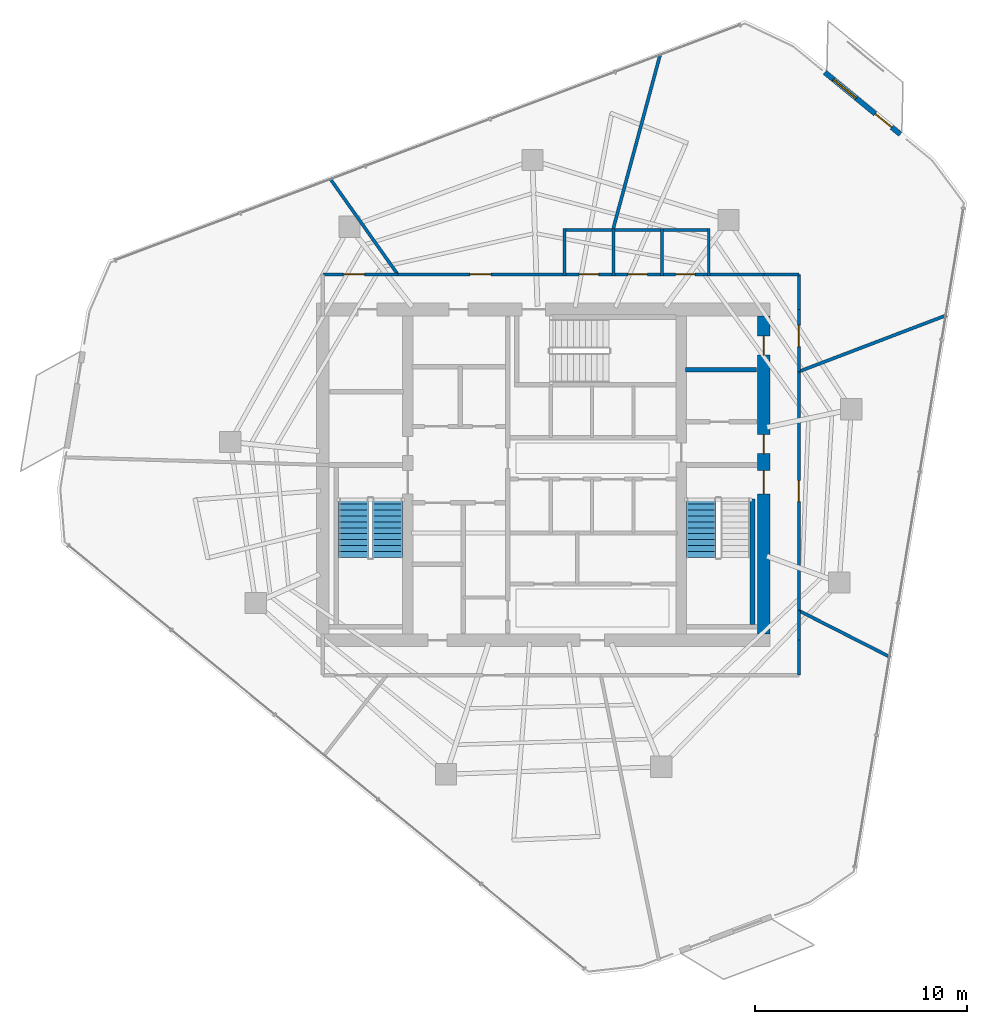
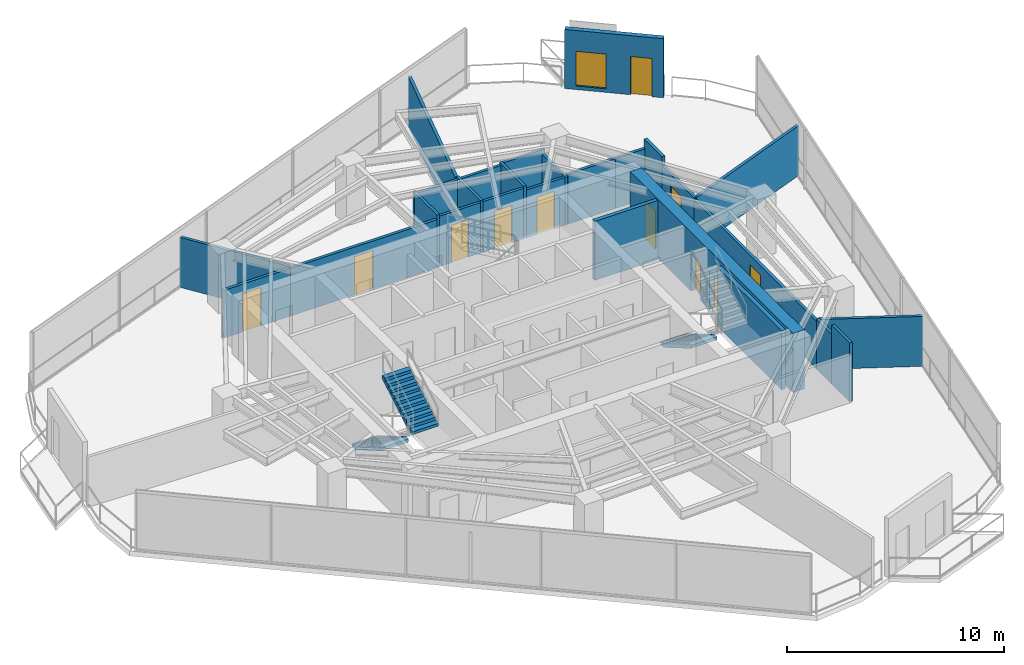
# One storey, part 16 of 19: 27 walls, 11 doors, 3 stair flights, 1 window, 12 openings, 2 elements without a shape of their own.
"""IFC4 building model written with IfcOpenShell, lengths in metres."""

from ifc_helpers import new_model, si_unit, direction, frame, frame_2d, origin, place, context, subcontext, project, spatial, polyline, rectangle, outline, extrude, material, layer, layer_set, type_object, element, fill, aggregate, save


model = new_model("IFC4")

# Units and contexts
model_context = context("Model", 3, precision=1e-05, world=origin(), true_north=direction((0.0, 1.0)))
body_context = subcontext(model_context, "Body", "Model", "MODEL_VIEW")
ifc_project = project(units=[si_unit("LENGTHUNIT", "METRE"), si_unit("AREAUNIT", "SQUARE_METRE"), si_unit("VOLUMEUNIT", "CUBIC_METRE"), si_unit("PLANEANGLEUNIT", "RADIAN"), si_unit("MASSUNIT", "GRAM", prefix="KILO")], contexts=[model_context])

# Site, building, storey
site_placement = place(None, origin())
site = spatial("IfcSite", under=ifc_project, at=site_placement, CompositionType="ELEMENT")
building_placement = place(site_placement, origin())
building = spatial("IfcBuilding", under=site, at=building_placement, Name="Qarnah Convention Tower", CompositionType="ELEMENT")
storey_placement = place(building_placement, frame((0.0, 0.0, 143.699951171875)))
storey = spatial("IfcBuildingStorey", under=building, at=storey_placement, Name="L38", CompositionType="ELEMENT", Elevation=143.699951171875)

# Wall, openings, doors
ifc_material_1 = material(Name="Concrete C60/75", Category="concrete")
ifc_layer_1 = layer(ifc_material_1, 0.60009765625)
ifc_layer_set_1 = layer_set([ifc_layer_1], Name="Concrete C60/75")
wall_type_1 = type_object("IfcWallType", Name="WL-CORE-600", PredefinedType="SHEAR", material=ifc_layer_set_1)
wall_1_placement = place(storey_placement, frame((47.60009765625, 18.89990234375, 0.0), z_axis=(0.0, 0.0, 1.0), x_axis=(0.0, 1.0, 0.0)))
wall_1 = element("IfcWall", 1, at=wall_1_placement, inside=storey, type_object=wall_type_1, Name="L38 core east shear wall", PredefinedType="SHEAR", context=body_context, shape_type="SweptSolid", body=[
    extrude(rectangle(XDim=15.0, YDim=0.60009765625, at=frame_2d((7.5, 0.0))), origin(), (0.0, 0.0, 1.0), 3.320068359375),
])
opening_1_placement = place(wall_1_placement, frame((6.60009765625, 0.0, 0.0)))
opening_1 = element("IfcOpeningElement", 2, at=opening_1_placement, cuts=wall_1, Name="Opening D-3802", PredefinedType="OPENING", context=body_context, shape_type="SweptSolid", body=[
    extrude(rectangle(XDim=1.10009765625, YDim=2.14990234375, at=frame_2d((0.550048828125, 1.074951171875))), frame((0.0, 0.31005859375, 0.0), z_axis=(0.0, -1.0, 0.0), x_axis=(1.0, 0.0, 0.0)), (0.0, 0.0, 1.0), 0.6201171875),
])
opening_2_placement = place(wall_1_placement, frame((8.5, 0.0, 0.0)))
opening_2 = element("IfcOpeningElement", 3, at=opening_2_placement, cuts=wall_1, Name="Opening D-3806", PredefinedType="OPENING", context=body_context, shape_type="SweptSolid", body=[
    extrude(rectangle(XDim=0.89990234375, YDim=2.10009765625, at=frame_2d((0.449951171875, 1.050048828125))), frame((0.0, 0.31005859375, 0.0), z_axis=(0.0, -1.0, 0.0), x_axis=(1.0, 0.0, 0.0)), (0.0, 0.0, 1.0), 0.6201171875),
])
opening_3_placement = place(wall_1_placement, frame((13.14990234375, 0.0, 0.0)))
opening_3 = element("IfcOpeningElement", 4, at=opening_3_placement, cuts=wall_1, Name="Opening D-3812", PredefinedType="OPENING", context=body_context, shape_type="SweptSolid", body=[
    extrude(rectangle(XDim=0.89990234375, YDim=2.10009765625, at=frame_2d((0.449951171875, 1.050048828125))), frame((0.0, 0.31005859375, 0.0), z_axis=(0.0, -1.0, 0.0), x_axis=(1.0, 0.0, 0.0)), (0.0, 0.0, 1.0), 0.6201171875),
])
ifc_material_2 = material(Name="Structural steel S355JR", Category="steel")
door_type_1 = type_object("IfcDoorType", Name="DT-RISER-900", OperationType="NOTDEFINED", PredefinedType="DOOR", material=ifc_material_2)
door_1_placement = place(opening_2_placement, origin())
door_1 = element("IfcDoor", 5, at=door_1_placement, inside=storey, type_object=door_type_1, Name="Door D-3806", OperationType="SINGLE_SWING_LEFT", OverallHeight=2.10009765625, OverallWidth=0.89990234375, PredefinedType="DOOR", context=body_context, shape_type="SweptSolid", body=[
    extrude(rectangle(XDim=0.89990234375, YDim=2.10009765625, at=frame_2d((0.449951171875, 1.050048828125))), frame((0.0, 0.02490234375, 0.0), z_axis=(0.0, -1.0, 0.0), x_axis=(1.0, 0.0, 0.0)), (0.0, 0.0, 1.0), 0.050048828125),
])
fill(opening_2, door_1)
door_2_placement = place(opening_3_placement, origin())
door_2 = element("IfcDoor", 6, at=door_2_placement, inside=storey, type_object=door_type_1, Name="Door D-3812", OperationType="SINGLE_SWING_LEFT", OverallHeight=2.10009765625, OverallWidth=0.89990234375, PredefinedType="DOOR", context=body_context, shape_type="SweptSolid", body=[
    extrude(rectangle(XDim=0.89990234375, YDim=2.10009765625, at=frame_2d((0.449951171875, 1.050048828125))), frame((0.0, 0.02490234375, 0.0), z_axis=(0.0, -1.0, 0.0), x_axis=(1.0, 0.0, 0.0)), (0.0, 0.0, 1.0), 0.050048828125),
])
fill(opening_3, door_2)
door_type_2 = type_object("IfcDoorType", Name="DT-STAIR-1100", OperationType="NOTDEFINED", PredefinedType="DOOR", material=ifc_material_2)
door_3_placement = place(opening_1_placement, origin())
door_3 = element("IfcDoor", 7, at=door_3_placement, inside=storey, type_object=door_type_2, Name="Door D-3802", OperationType="SINGLE_SWING_LEFT", OverallHeight=2.14990234375, OverallWidth=1.10009765625, PredefinedType="DOOR", context=body_context, shape_type="SweptSolid", body=[
    extrude(rectangle(XDim=1.10009765625, YDim=2.14990234375, at=frame_2d((0.550048828125, 1.074951171875))), frame((0.0, 0.02490234375, 0.0), z_axis=(0.0, -1.0, 0.0), x_axis=(1.0, 0.0, 0.0)), (0.0, 0.0, 1.0), 0.050048828125),
])
fill(opening_1, door_3)

# Walls
ifc_material_3 = material(Name="Concrete C45/55", Category="concrete")
ifc_layer_2 = layer(ifc_material_3, 0.199951171875)
ifc_layer_set_2 = layer_set([ifc_layer_2], Name="Concrete C45/55")
wall_type_2 = type_object("IfcWallType", Name="WL-CORE-PART-200", PredefinedType="SOLIDWALL", material=ifc_layer_set_2)
wall_2_placement = place(storey_placement, frame((43.89990234375, 31.35009765625, 0.0), z_axis=(0.0, 0.0, 1.0), x_axis=(1.0, 0.0, 0.0)))
element("IfcWall", 8, at=wall_2_placement, inside=storey, type_object=wall_type_2, Name="L38 interior wall IW-L38-WTRN", PredefinedType="SOLIDWALL", context=body_context, shape_type="SweptSolid", body=[
    extrude(rectangle(XDim=3.35009765625, YDim=0.199951171875, at=frame_2d((1.675048828125, 0.0))), origin(), (0.0, 0.0, 1.0), 3.320068359375),
])
ifc_layer_3 = layer(ifc_material_1, 0.219970703125)
ifc_layer_set_3 = layer_set([ifc_layer_3], Name="Concrete C60/75")
wall_type_3 = type_object("IfcWallType", Name="WL-CORE-STAIR-220", PredefinedType="SHEAR", material=ifc_layer_set_3)
wall_3_placement = place(storey_placement, frame((47.06005859375, 19.35009765625, 0.0), z_axis=(0.0, 0.0, 1.0), x_axis=(0.0, 1.0, 0.0)))
element("IfcWall", 9, at=wall_3_placement, inside=storey, type_object=wall_type_3, Name="L38 stair shaft shear wall SW-L38-ST2E", PredefinedType="SHEAR", context=body_context, shape_type="SweptSolid", body=[
    extrude(rectangle(XDim=5.89990234375, YDim=0.219970703125, at=frame_2d((2.949951171875, 0.0))), origin(), (0.0, 0.0, 1.0), 3.320068359375),
])

# Wall, openings, door, window
ifc_material_4 = material(Name="Precast concrete C45/55", Category="concrete")
ifc_layer_4 = layer(ifc_material_4, 0.239990234375)
ifc_layer_set_4 = layer_set([ifc_layer_4], Name="Precast concrete C45/55")
wall_type_4 = type_object("IfcWallType", Name="WL-EXT-BAL-240", PredefinedType="SOLIDWALL", material=ifc_layer_set_4)
wall_4_placement = place(storey_placement, frame((50.47412109375, 45.3759765625, 0.0), z_axis=(0.0, 0.0, 1.0), x_axis=(0.773230836885, -0.634124650909, 0.0)))
wall_4 = element("IfcWall", 10, at=wall_4_placement, inside=storey, type_object=wall_type_4, Name="L38 loggia threshold wall BAL-L38-C1", PredefinedType="SOLIDWALL", context=body_context, shape_type="SweptSolid", body=[
    extrude(rectangle(XDim=4.60009765625, YDim=0.239990234375, at=frame_2d((2.300048828125, 0.0))), origin(), (0.0, 0.0, 1.0), 3.320068359375),
])
opening_4_placement = place(wall_4_placement, frame((3.080078125, 0.0, 0.0)))
opening_4 = element("IfcOpeningElement", 11, at=opening_4_placement, cuts=wall_4, Name="Opening BD-3801", PredefinedType="OPENING", context=body_context, shape_type="SweptSolid", body=[
    extrude(rectangle(XDim=1.0, YDim=2.14990234375, at=frame_2d((0.5, 1.074951171875))), frame((0.0, 0.1298828125, 0.0), z_axis=(0.0, -1.0, 0.0), x_axis=(1.0, 0.0, 0.0)), (0.0, 0.0, 1.0), 0.260009765625),
])
opening_5_placement = place(wall_4_placement, frame((0.52001953125, 0.0, 0.199951171875)))
opening_5 = element("IfcOpeningElement", 12, at=opening_5_placement, cuts=wall_4, Name="Opening WN4", PredefinedType="OPENING", context=body_context, shape_type="SweptSolid", body=[
    extrude(rectangle(XDim=1.39990234375, YDim=1.949951171875, at=frame_2d((0.699951171875, 0.97509765625))), frame((0.0, 0.1298828125, 0.0), z_axis=(0.0, -1.0, 0.0), x_axis=(1.0, 0.0, 0.0)), (0.0, 0.0, 1.0), 0.260009765625),
])
ifc_material_5 = material(Name="Black anodised aluminium", Category="aluminium")
door_type_3 = type_object("IfcDoorType", Name="DT-BAL-1000", OperationType="NOTDEFINED", PredefinedType="DOOR", material=ifc_material_5)
door_4_placement = place(opening_4_placement, origin())
door_4 = element("IfcDoor", 13, at=door_4_placement, inside=storey, type_object=door_type_3, Name="L38 balcony terrace door BAL-L38-C1", OperationType="SINGLE_SWING_LEFT", OverallHeight=2.14990234375, OverallWidth=1.0, PredefinedType="DOOR", context=body_context, shape_type="SweptSolid", body=[
    extrude(rectangle(XDim=1.0, YDim=2.14990234375, at=frame_2d((0.5, 1.074951171875))), frame((0.0, 0.02490234375, 0.0), z_axis=(0.0, -1.0, 0.0), x_axis=(1.0, 0.0, 0.0)), (0.0, 0.0, 1.0), 0.050048828125),
])
fill(opening_4, door_4)
ifc_material_6 = material(Name="Tempered Low-E dark glass", Category="glass")
window_type = type_object("IfcWindowType", Name="WT-BAL-1400X2000", PartitioningType="SINGLE_PANEL", PredefinedType="WINDOW", material=ifc_material_6)
window_placement = place(opening_5_placement, origin())
window = element("IfcWindow", 14, at=window_placement, inside=storey, type_object=window_type, Name="Window BW-BAL-L38-C1", OverallHeight=1.949951171875, OverallWidth=1.39990234375, PartitioningType="SINGLE_PANEL", PredefinedType="WINDOW", context=body_context, shape_type="SweptSolid", body=[
    extrude(rectangle(XDim=1.39990234375, YDim=1.949951171875, at=frame_2d((0.699951171875, 0.97509765625))), frame((0.0, 0.030029296875, 0.0), z_axis=(0.0, -1.0, 0.0), x_axis=(1.0, 0.0, 0.0)), (0.0, 0.0, 1.0), 0.06005859375),
])
fill(opening_5, window)

# Walls
ifc_material_7 = material(Name="Gypsum partition board")
ifc_layer_5 = layer(ifc_material_7, 0.14990234375)
ifc_layer_set_5 = layer_set([ifc_layer_5], Name="Gypsum partition board")
wall_type_5 = type_object("IfcWallType", Name="WL-SUITE-150", PredefinedType="PARTITIONING", material=ifc_layer_set_5)
wall_5_placement = place(storey_placement, frame((42.722900390625, 46.264892578125, 0.0), z_axis=(0.0, 0.0, 1.0), x_axis=(-0.260314884798, -0.965523775343, 0.0)))
element("IfcWall", 15, at=wall_5_placement, inside=storey, type_object=wall_type_5, Name="L38 interior wall IW-L38-R-11", PredefinedType="PARTITIONING", context=body_context, shape_type="SweptSolid", body=[
    extrude(rectangle(XDim=8.539306640625, YDim=0.14990234375, at=frame_2d((4.26953125, 0.0))), origin(), (0.0, 0.0, 1.0), 2.804931640625),
])
wall_6_placement = place(storey_placement, frame((45.070068359375, 35.85009765625, 0.0), z_axis=(0.0, 0.0, 1.0), x_axis=(1.0, 0.0, 0.0)))
element("IfcWall", 16, at=wall_6_placement, inside=storey, type_object=wall_type_5, Name="L38 interior wall IW-L38-R-12", PredefinedType="PARTITIONING", context=body_context, shape_type="SweptSolid", body=[
    extrude(rectangle(XDim=2.530029296875, YDim=0.14990234375, at=frame_2d((1.26513671875, 0.0))), origin(), (0.0, 0.0, 1.0), 2.804931640625),
])
wall_7_placement = place(storey_placement, frame((47.60009765625, 35.85009765625, 0.0), z_axis=(0.0, 0.0, 1.0), x_axis=(1.0, 0.0, 0.0)))
element("IfcWall", 17, at=wall_7_placement, inside=storey, type_object=wall_type_5, Name="L38 interior wall IW-L38-R-13", PredefinedType="PARTITIONING", context=body_context, shape_type="SweptSolid", body=[
    extrude(rectangle(XDim=1.64990234375, YDim=0.14990234375, at=frame_2d((0.824951171875, 0.0))), origin(), (0.0, 0.0, 1.0), 2.804931640625),
])
wall_8_placement = place(storey_placement, frame((49.25, 35.85009765625, 0.0), z_axis=(0.0, 0.0, 1.0), x_axis=(0.0, -1.0, 0.0)))
element("IfcWall", 18, at=wall_8_placement, inside=storey, type_object=wall_type_5, Name="L38 interior wall IW-L38-R-14", PredefinedType="PARTITIONING", context=body_context, shape_type="SweptSolid", body=[
    extrude(rectangle(XDim=1.650146484375, YDim=0.14990234375, at=frame_2d((0.8251953125, 0.0))), origin(), (0.0, 0.0, 1.0), 3.320068359375),
])

# Wall, opening, door
wall_9_placement = place(storey_placement, frame((49.25, 34.199951171875, 0.0), z_axis=(0.0, 0.0, 1.0), x_axis=(0.0, -1.0, 0.0)))
wall_9 = element("IfcWall", 19, at=wall_9_placement, inside=storey, type_object=wall_type_5, Name="L38 interior wall IW-L38-R-15", PredefinedType="PARTITIONING", context=body_context, shape_type="SweptSolid", body=[
    extrude(rectangle(XDim=2.930908203125, YDim=0.14990234375, at=frame_2d((1.46533203125, 0.0))), origin(), (0.0, 0.0, 1.0), 2.804931640625),
])
opening_6_placement = place(wall_9_placement, frame((0.758056640625, 0.0, 0.0)))
opening_6 = element("IfcOpeningElement", 20, at=opening_6_placement, cuts=wall_9, Name="Opening D-3821", PredefinedType="OPENING", context=body_context, shape_type="SweptSolid", body=[
    extrude(rectangle(XDim=1.0, YDim=2.14990234375, at=frame_2d((0.5, 1.074951171875))), frame((0.0, 0.0849609375, 0.0), z_axis=(0.0, -1.0, 0.0), x_axis=(1.0, 0.0, 0.0)), (0.0, 0.0, 1.0), 0.169921875),
])
ifc_material_8 = material(Name="Oak timber veneer", Category="wood")
door_type_4 = type_object("IfcDoorType", Name="DT-OFFICE-1000", OperationType="NOTDEFINED", PredefinedType="DOOR", material=ifc_material_8)
door_5_placement = place(opening_6_placement, origin())
door_5 = element("IfcDoor", 21, at=door_5_placement, inside=storey, type_object=door_type_4, Name="Door D-3821", OperationType="SINGLE_SWING_RIGHT", OverallHeight=2.14990234375, OverallWidth=1.0, PredefinedType="DOOR", context=body_context, shape_type="SweptSolid", body=[
    extrude(rectangle(XDim=1.0, YDim=2.14990234375, at=frame_2d((0.5, 1.074951171875))), frame((0.0, 0.02490234375, 0.0), z_axis=(0.0, -1.0, 0.0), x_axis=(1.0, 0.0, 0.0)), (0.0, 0.0, 1.0), 0.050048828125),
])
fill(opening_6, door_5)

# Walls
wall_10_placement = place(storey_placement, frame((49.25, 31.26904296875, 0.0), z_axis=(0.0, 0.0, 1.0), x_axis=(0.934313749636, 0.356451703938, 0.0)))
element("IfcWall", 22, at=wall_10_placement, inside=storey, type_object=wall_type_5, Name="L38 interior wall IW-L38-R-16", PredefinedType="PARTITIONING", context=body_context, shape_type="SweptSolid", body=[
    extrude(rectangle(XDim=7.473876953125, YDim=0.14990234375, at=frame_2d((3.73681640625, 0.0))), origin(), (0.0, 0.0, 1.0), 2.804931640625),
])
wall_11_placement = place(storey_placement, frame((27.134033203125, 40.3798828125, 0.0), z_axis=(0.0, 0.0, 1.0), x_axis=(0.57697869806, -0.816759194613, 0.0)))
element("IfcWall", 23, at=wall_11_placement, inside=storey, type_object=wall_type_5, Name="L38 interior wall IW-L38-R-17", PredefinedType="PARTITIONING", context=body_context, shape_type="SweptSolid", body=[
    extrude(rectangle(XDim=5.546142578125, YDim=0.14990234375, at=frame_2d((2.77294921875, 0.0))), origin(), (0.0, 0.0, 1.0), 2.804931640625),
])

# Wall, opening, door
wall_12_placement = place(storey_placement, frame((30.333984375, 35.85009765625, 0.0), z_axis=(0.0, 0.0, 1.0), x_axis=(1.0, 0.0, 0.0)))
wall_12 = element("IfcWall", 24, at=wall_12_placement, inside=storey, type_object=wall_type_5, Name="L38 interior wall IW-L38-R-18", PredefinedType="PARTITIONING", context=body_context, shape_type="SweptSolid", body=[
    extrude(rectangle(XDim=7.7958984375, YDim=0.14990234375, at=frame_2d((3.89794921875, 0.0))), origin(), (0.0, 0.0, 1.0), 2.68701171875),
])
opening_7_placement = place(wall_12_placement, frame((3.39794921875, 0.0, 0.0)))
opening_7 = element("IfcOpeningElement", 25, at=opening_7_placement, cuts=wall_12, Name="Opening D-3822", PredefinedType="OPENING", context=body_context, shape_type="SweptSolid", body=[
    extrude(rectangle(XDim=1.0, YDim=2.14990234375, at=frame_2d((0.5, 1.074951171875))), frame((0.0, 0.0849609375, 0.0), z_axis=(0.0, -1.0, 0.0), x_axis=(1.0, 0.0, 0.0)), (0.0, 0.0, 1.0), 0.169921875),
])
door_6_placement = place(opening_7_placement, origin())
door_6 = element("IfcDoor", 26, at=door_6_placement, inside=storey, type_object=door_type_4, Name="Door D-3822", OperationType="SINGLE_SWING_LEFT", OverallHeight=2.14990234375, OverallWidth=1.0, PredefinedType="DOOR", context=body_context, shape_type="SweptSolid", body=[
    extrude(rectangle(XDim=1.0, YDim=2.14990234375, at=frame_2d((0.5, 1.074951171875))), frame((0.0, 0.02490234375, 0.0), z_axis=(0.0, -1.0, 0.0), x_axis=(1.0, 0.0, 0.0)), (0.0, 0.0, 1.0), 0.050048828125),
])
fill(opening_7, door_6)

wall_13_placement = place(storey_placement, frame((26.800048828125, 35.85009765625, 0.0), z_axis=(0.0, 0.0, 1.0), x_axis=(1.0, 0.0, 0.0)))
wall_13 = element("IfcWall", 27, at=wall_13_placement, inside=storey, type_object=wall_type_5, Name="L38 interior wall IW-L38-R-21", PredefinedType="PARTITIONING", context=body_context, shape_type="SweptSolid", body=[
    extrude(rectangle(XDim=3.533935546875, YDim=0.14990234375, at=frame_2d((1.76708984375, 0.0))), origin(), (0.0, 0.0, 1.0), 2.68701171875),
])
opening_8_placement = place(wall_13_placement, frame((0.97412109375, 0.0, 0.0)))
opening_8 = element("IfcOpeningElement", 28, at=opening_8_placement, cuts=wall_13, Name="Opening D-3823", PredefinedType="OPENING", context=body_context, shape_type="SweptSolid", body=[
    extrude(rectangle(XDim=1.0, YDim=2.14990234375, at=frame_2d((0.5, 1.074951171875))), frame((0.0, 0.0849609375, 0.0), z_axis=(0.0, -1.0, 0.0), x_axis=(1.0, 0.0, 0.0)), (0.0, 0.0, 1.0), 0.169921875),
])
door_7_placement = place(opening_8_placement, origin())
door_7 = element("IfcDoor", 29, at=door_7_placement, inside=storey, type_object=door_type_4, Name="Door D-3823", OperationType="SINGLE_SWING_RIGHT", OverallHeight=2.14990234375, OverallWidth=1.0, PredefinedType="DOOR", context=body_context, shape_type="SweptSolid", body=[
    extrude(rectangle(XDim=1.0, YDim=2.14990234375, at=frame_2d((0.5, 1.074951171875))), frame((0.0, 0.02490234375, 0.0), z_axis=(0.0, -1.0, 0.0), x_axis=(1.0, 0.0, 0.0)), (0.0, 0.0, 1.0), 0.050048828125),
])
fill(opening_8, door_7)

# Walls
wall_14_placement = place(storey_placement, frame((53.56689453125, 17.799072265625, 0.0), z_axis=(0.0, 0.0, 1.0), x_axis=(-0.891483849738, 0.45305247561, 0.0)))
element("IfcWall", 30, at=wall_14_placement, inside=storey, type_object=wall_type_5, Name="L38 interior wall IW-L38-R-27", PredefinedType="PARTITIONING", context=body_context, shape_type="SweptSolid", body=[
    extrude(rectangle(XDim=4.84228515625, YDim=0.14990234375, at=frame_2d((2.421142578125, 0.0))), origin(), (0.0, 0.0, 1.0), 2.804931640625),
])
wall_15_placement = place(storey_placement, frame((49.25, 19.992919921875, 0.0), z_axis=(0.0, 0.0, 1.0), x_axis=(0.0, -1.0, 0.0)))
element("IfcWall", 31, at=wall_15_placement, inside=storey, type_object=wall_type_5, Name="L38 interior wall IW-L38-R-28", PredefinedType="PARTITIONING", context=body_context, shape_type="SweptSolid", body=[
    extrude(rectangle(XDim=1.392822265625, YDim=0.14990234375, at=frame_2d((0.6962890625, 0.0))), origin(), (0.0, 0.0, 1.0), 2.804931640625),
])
wall_16_placement = place(storey_placement, frame((49.25, 18.60009765625, 0.0), z_axis=(0.0, 0.0, 1.0), x_axis=(0.0, -1.0, 0.0)))
element("IfcWall", 32, at=wall_16_placement, inside=storey, type_object=wall_type_5, Name="L38 interior wall IW-L38-R-29", PredefinedType="PARTITIONING", context=body_context, shape_type="SweptSolid", body=[
    extrude(rectangle(XDim=1.650146484375, YDim=0.14990234375, at=frame_2d((0.8251953125, 0.0))), origin(), (0.0, 0.0, 1.0), 3.320068359375),
])

# Wall, opening, door
wall_17_placement = place(storey_placement, frame((49.25, 31.26904296875, 0.0), z_axis=(0.0, 0.0, 1.0), x_axis=(0.0, -1.0, 0.0)))
wall_17 = element("IfcWall", 33, at=wall_17_placement, inside=storey, type_object=wall_type_5, Name="L38 interior wall IW-L38-R-31", PredefinedType="PARTITIONING", context=body_context, shape_type="SweptSolid", body=[
    extrude(rectangle(XDim=11.276123046875, YDim=0.14990234375, at=frame_2d((5.63818359375, 0.0))), origin(), (0.0, 0.0, 1.0), 2.68701171875),
])
opening_9_placement = place(wall_17_placement, frame((5.137939453125, 0.0, 0.0)))
opening_9 = element("IfcOpeningElement", 34, at=opening_9_placement, cuts=wall_17, Name="Opening D-3827", PredefinedType="OPENING", context=body_context, shape_type="SweptSolid", body=[
    extrude(rectangle(XDim=1.0, YDim=2.14990234375, at=frame_2d((0.5, 1.074951171875))), frame((0.0, 0.0849609375, 0.0), z_axis=(0.0, -1.0, 0.0), x_axis=(1.0, 0.0, 0.0)), (0.0, 0.0, 1.0), 0.169921875),
])
door_8_placement = place(opening_9_placement, origin())
door_8 = element("IfcDoor", 35, at=door_8_placement, inside=storey, type_object=door_type_4, Name="Door D-3827", OperationType="SINGLE_SWING_RIGHT", OverallHeight=2.14990234375, OverallWidth=1.0, PredefinedType="DOOR", context=body_context, shape_type="SweptSolid", body=[
    extrude(rectangle(XDim=1.0, YDim=2.14990234375, at=frame_2d((0.5, 1.074951171875))), frame((0.0, 0.02490234375, 0.0), z_axis=(0.0, -1.0, 0.0), x_axis=(1.0, 0.0, 0.0)), (0.0, 0.0, 1.0), 0.050048828125),
])
fill(opening_9, door_8)

ifc_layer_6 = layer(ifc_material_7, 0.139892578125)
ifc_layer_set_6 = layer_set([ifc_layer_6], Name="Gypsum partition board")
wall_type_6 = type_object("IfcWallType", Name="WL-WET-140", PredefinedType="PARTITIONING", material=ifc_layer_set_6)
wall_18_placement = place(storey_placement, frame((38.1298828125, 35.85009765625, 0.0), z_axis=(0.0, 0.0, 1.0), x_axis=(1.0, 0.0, 0.0)))
wall_18 = element("IfcWall", 36, at=wall_18_placement, inside=storey, type_object=wall_type_6, Name="L38 interior wall IW-L38-WCM-1", PredefinedType="PARTITIONING", context=body_context, shape_type="SweptSolid", body=[
    extrude(rectangle(XDim=2.440185546875, YDim=0.139892578125, at=frame_2d((1.22021484375, 0.0))), origin(), (0.0, 0.0, 1.0), 2.841064453125),
])
opening_10_placement = place(wall_18_placement, frame((0.760009765625, 0.0, 0.0)))
opening_10 = element("IfcOpeningElement", 37, at=opening_10_placement, cuts=wall_18, Name="Opening D-3818", PredefinedType="OPENING", context=body_context, shape_type="SweptSolid", body=[
    extrude(rectangle(XDim=0.919921875, YDim=2.10009765625, at=frame_2d((0.4599609375, 1.050048828125))), frame((0.0, 0.079833984375, 0.0), z_axis=(0.0, -1.0, 0.0), x_axis=(1.0, 0.0, 0.0)), (0.0, 0.0, 1.0), 0.159912109375),
])
door_type_5 = type_object("IfcDoorType", Name="DT-WC-920", OperationType="NOTDEFINED", PredefinedType="DOOR", material=ifc_material_8)
door_9_placement = place(opening_10_placement, origin())
door_9 = element("IfcDoor", 38, at=door_9_placement, inside=storey, type_object=door_type_5, Name="Door D-3818", OperationType="SINGLE_SWING_LEFT", OverallHeight=2.10009765625, OverallWidth=0.919921875, PredefinedType="DOOR", context=body_context, shape_type="SweptSolid", body=[
    extrude(rectangle(XDim=0.919921875, YDim=2.10009765625, at=frame_2d((0.4599609375, 1.050048828125))), frame((0.0, 0.02490234375, 0.0), z_axis=(0.0, -1.0, 0.0), x_axis=(1.0, 0.0, 0.0)), (0.0, 0.0, 1.0), 0.050048828125),
])
fill(opening_10, door_9)

# Walls
wall_19_placement = place(storey_placement, frame((40.5, 35.780029296875, 0.0), z_axis=(0.0, 0.0, 1.0), x_axis=(0.0, 1.0, 0.0)))
element("IfcWall", 39, at=wall_19_placement, inside=storey, type_object=wall_type_6, Name="L38 interior wall IW-L38-WCM-2", PredefinedType="PARTITIONING", context=body_context, shape_type="SweptSolid", body=[
    extrude(rectangle(XDim=2.239990234375, YDim=0.139892578125, at=frame_2d((1.1201171875, 0.0))), origin(), (0.0, 0.0, 1.0), 2.948974609375),
])
wall_20_placement = place(storey_placement, frame((40.570068359375, 37.949951171875, 0.0), z_axis=(0.0, 0.0, 1.0), x_axis=(-1.0, 0.0, 0.0)))
element("IfcWall", 40, at=wall_20_placement, inside=storey, type_object=wall_type_6, Name="L38 interior wall IW-L38-WCM-3", PredefinedType="PARTITIONING", context=body_context, shape_type="SweptSolid", body=[
    extrude(rectangle(XDim=2.440185546875, YDim=0.139892578125, at=frame_2d((1.22021484375, 0.0))), origin(), (0.0, 0.0, 1.0), 2.841064453125),
])
wall_21_placement = place(storey_placement, frame((38.199951171875, 38.02001953125, 0.0), z_axis=(0.0, 0.0, 1.0), x_axis=(0.0, -1.0, 0.0)))
element("IfcWall", 41, at=wall_21_placement, inside=storey, type_object=wall_type_6, Name="L38 interior wall IW-L38-WCM-4", PredefinedType="PARTITIONING", context=body_context, shape_type="SweptSolid", body=[
    extrude(rectangle(XDim=2.239990234375, YDim=0.139892578125, at=frame_2d((1.1201171875, 0.0))), origin(), (0.0, 0.0, 1.0), 2.948974609375),
])

# Wall, opening, door
wall_22_placement = place(storey_placement, frame((40.429931640625, 35.85009765625, 0.0), z_axis=(0.0, 0.0, 1.0), x_axis=(1.0, 0.0, 0.0)))
wall_22 = element("IfcWall", 42, at=wall_22_placement, inside=storey, type_object=wall_type_6, Name="L38 interior wall IW-L38-WCF-1", PredefinedType="PARTITIONING", context=body_context, shape_type="SweptSolid", body=[
    extrude(rectangle(XDim=2.440185546875, YDim=0.139892578125, at=frame_2d((1.22021484375, 0.0))), origin(), (0.0, 0.0, 1.0), 2.841064453125),
])
opening_11_placement = place(wall_22_placement, frame((0.760009765625, 0.0, 0.0)))
opening_11 = element("IfcOpeningElement", 43, at=opening_11_placement, cuts=wall_22, Name="Opening D-3819", PredefinedType="OPENING", context=body_context, shape_type="SweptSolid", body=[
    extrude(rectangle(XDim=0.919921875, YDim=2.10009765625, at=frame_2d((0.4599609375, 1.050048828125))), frame((0.0, 0.079833984375, 0.0), z_axis=(0.0, -1.0, 0.0), x_axis=(1.0, 0.0, 0.0)), (0.0, 0.0, 1.0), 0.159912109375),
])
door_10_placement = place(opening_11_placement, origin())
door_10 = element("IfcDoor", 44, at=door_10_placement, inside=storey, type_object=door_type_5, Name="Door D-3819", OperationType="SINGLE_SWING_RIGHT", OverallHeight=2.10009765625, OverallWidth=0.919921875, PredefinedType="DOOR", context=body_context, shape_type="SweptSolid", body=[
    extrude(rectangle(XDim=0.919921875, YDim=2.10009765625, at=frame_2d((0.4599609375, 1.050048828125))), frame((0.0, 0.02490234375, 0.0), z_axis=(0.0, -1.0, 0.0), x_axis=(1.0, 0.0, 0.0)), (0.0, 0.0, 1.0), 0.050048828125),
])
fill(opening_11, door_10)

# Walls
wall_23_placement = place(storey_placement, frame((42.800048828125, 35.780029296875, 0.0), z_axis=(0.0, 0.0, 1.0), x_axis=(0.0, 1.0, 0.0)))
element("IfcWall", 45, at=wall_23_placement, inside=storey, type_object=wall_type_6, Name="L38 interior wall IW-L38-WCF-2", PredefinedType="PARTITIONING", context=body_context, shape_type="SweptSolid", body=[
    extrude(rectangle(XDim=2.239990234375, YDim=0.139892578125, at=frame_2d((1.1201171875, 0.0))), origin(), (0.0, 0.0, 1.0), 2.948974609375),
])
wall_24_placement = place(storey_placement, frame((42.8701171875, 37.949951171875, 0.0), z_axis=(0.0, 0.0, 1.0), x_axis=(-1.0, 0.0, 0.0)))
element("IfcWall", 46, at=wall_24_placement, inside=storey, type_object=wall_type_6, Name="L38 interior wall IW-L38-WCF-3", PredefinedType="PARTITIONING", context=body_context, shape_type="SweptSolid", body=[
    extrude(rectangle(XDim=2.440185546875, YDim=0.139892578125, at=frame_2d((1.22021484375, 0.0))), origin(), (0.0, 0.0, 1.0), 2.841064453125),
])

# Wall, opening, door
wall_25_placement = place(storey_placement, frame((42.72998046875, 35.85009765625, 0.0), z_axis=(0.0, 0.0, 1.0), x_axis=(1.0, 0.0, 0.0)))
wall_25 = element("IfcWall", 47, at=wall_25_placement, inside=storey, type_object=wall_type_6, Name="L38 interior wall IW-L38-WCA-1", PredefinedType="PARTITIONING", context=body_context, shape_type="SweptSolid", body=[
    extrude(rectangle(XDim=2.340087890625, YDim=0.139892578125, at=frame_2d((1.169921875, 0.0))), origin(), (0.0, 0.0, 1.0), 2.68701171875),
])
opening_12_placement = place(wall_25_placement, frame((0.7099609375, 0.0, 0.0)))
opening_12 = element("IfcOpeningElement", 48, at=opening_12_placement, cuts=wall_25, Name="Opening D-3820", PredefinedType="OPENING", context=body_context, shape_type="SweptSolid", body=[
    extrude(rectangle(XDim=0.919921875, YDim=2.10009765625, at=frame_2d((0.4599609375, 1.050048828125))), frame((0.0, 0.079833984375, 0.0), z_axis=(0.0, -1.0, 0.0), x_axis=(1.0, 0.0, 0.0)), (0.0, 0.0, 1.0), 0.159912109375),
])
door_11_placement = place(opening_12_placement, origin())
door_11 = element("IfcDoor", 49, at=door_11_placement, inside=storey, type_object=door_type_5, Name="Door D-3820", OperationType="SINGLE_SWING_LEFT", OverallHeight=2.10009765625, OverallWidth=0.919921875, PredefinedType="DOOR", context=body_context, shape_type="SweptSolid", body=[
    extrude(rectangle(XDim=0.919921875, YDim=2.10009765625, at=frame_2d((0.4599609375, 1.050048828125))), frame((0.0, 0.02490234375, 0.0), z_axis=(0.0, -1.0, 0.0), x_axis=(1.0, 0.0, 0.0)), (0.0, 0.0, 1.0), 0.050048828125),
])
fill(opening_12, door_11)

# Walls
wall_26_placement = place(storey_placement, frame((45.0, 35.780029296875, 0.0), z_axis=(0.0, 0.0, 1.0), x_axis=(0.0, 1.0, 0.0)))
element("IfcWall", 50, at=wall_26_placement, inside=storey, type_object=wall_type_6, Name="L38 interior wall IW-L38-WCA-2", PredefinedType="PARTITIONING", context=body_context, shape_type="SweptSolid", body=[
    extrude(rectangle(XDim=2.239990234375, YDim=0.139892578125, at=frame_2d((1.1201171875, 0.0))), origin(), (0.0, 0.0, 1.0), 2.68701171875),
])
wall_27_placement = place(storey_placement, frame((45.070068359375, 37.949951171875, 0.0), z_axis=(0.0, 0.0, 1.0), x_axis=(-1.0, 0.0, 0.0)))
element("IfcWall", 51, at=wall_27_placement, inside=storey, type_object=wall_type_6, Name="L38 interior wall IW-L38-WCA-3", PredefinedType="PARTITIONING", context=body_context, shape_type="SweptSolid", body=[
    extrude(rectangle(XDim=2.340087890625, YDim=0.139892578125, at=frame_2d((1.169921875, 0.0))), origin(), (0.0, 0.0, 1.0), 2.948974609375),
])

# Stair, stair flights
ifc_material_9 = material(Name="Concrete C50/60", Category="concrete")
stair_type = type_object("IfcStairType", Name="STR-OFF", PredefinedType="HALF_TURN_STAIR", material=ifc_material_9)
stair_1_placement = place(storey_placement, origin())
stair_1 = element("IfcStair", 52, at=stair_1_placement, inside=storey, type_object=stair_type, Name="L38 Core exit stair ST-1", PredefinedType="HALF_TURN_STAIR")
stair_flight_type = type_object("IfcStairFlightType", Name="FLT-OFF", PredefinedType="STRAIGHT", material=ifc_material_9)
stair_flight_1_placement = place(storey_placement, frame((28.25, 25.300048828125, 0.0), z_axis=(0.0, 0.0, 1.0), x_axis=(0.0, -1.0, 0.0)))
stair_flight_1 = element("IfcStairFlight", 53, at=stair_flight_1_placement, type_object=stair_flight_type, Name="ST-1 flight 1", NumberOfRisers=11, NumberOfTreads=10, PredefinedType="STRAIGHT", RiserHeight=0.163636364, TreadLength=0.28, context=body_context, shape_type="SweptSolid", body=[
    extrude(outline(polyline([(0.0, 0.0), (0.0, 0.16357421875), (0.280029296875, 0.16357421875), (0.280029296875, 0.327392578125), (0.56005859375, 0.327392578125), (0.56005859375, 0.490966796875), (0.840087890625, 0.490966796875), (0.840087890625, 0.654541015625), (1.1201171875, 0.654541015625), (1.1201171875, 0.818115234375), (1.39990234375, 0.818115234375), (1.39990234375, 0.98193359375), (1.679931640625, 0.98193359375), (1.679931640625, 1.1455078125), (1.9599609375, 1.1455078125), (1.9599609375, 1.30908203125), (2.239990234375, 1.30908203125), (2.239990234375, 1.47265625), (2.52001953125, 1.47265625), (2.52001953125, 1.636474609375), (2.800048828125, 1.636474609375), (2.800048828125, 1.800048828125), (2.800048828125, 1.462646484375), (0.297119140625, 0.0), (0.0, 0.0)])), frame((0.0, 0.699951171875, 0.0), z_axis=(0.0, -1.0, 0.0), x_axis=(1.0, 0.0, 0.0)), (0.0, 0.0, 1.0), 1.39990234375),
])
stair_flight_2_placement = place(storey_placement, frame((29.85009765625, 22.5, 1.800048828125), z_axis=(0.0, 0.0, 1.0), x_axis=(0.0, 1.0, 0.0)))
stair_flight_2 = element("IfcStairFlight", 54, at=stair_flight_2_placement, type_object=stair_flight_type, Name="ST-1 flight 2", NumberOfRisers=11, NumberOfTreads=10, PredefinedType="STRAIGHT", RiserHeight=0.163636364, TreadLength=0.28, context=body_context, shape_type="SweptSolid", body=[
    extrude(outline(polyline([(0.0, 0.0), (0.0, 0.16357421875), (0.280029296875, 0.16357421875), (0.280029296875, 0.327392578125), (0.56005859375, 0.327392578125), (0.56005859375, 0.490966796875), (0.840087890625, 0.490966796875), (0.840087890625, 0.654541015625), (1.1201171875, 0.654541015625), (1.1201171875, 0.818115234375), (1.39990234375, 0.818115234375), (1.39990234375, 0.98193359375), (1.679931640625, 0.98193359375), (1.679931640625, 1.1455078125), (1.9599609375, 1.1455078125), (1.9599609375, 1.30908203125), (2.239990234375, 1.30908203125), (2.239990234375, 1.47265625), (2.52001953125, 1.47265625), (2.52001953125, 1.636474609375), (2.800048828125, 1.636474609375), (2.800048828125, 1.800048828125), (2.800048828125, 1.462646484375), (0.297119140625, 0.0), (0.0, 0.0)])), frame((0.0, 0.699951171875, 0.0), z_axis=(0.0, -1.0, 0.0), x_axis=(1.0, 0.0, 0.0)), (0.0, 0.0, 1.0), 1.39990234375),
])
aggregate(stair_1, [stair_flight_1, stair_flight_2])

# Stair, stair flight
stair_2_placement = place(storey_placement, origin())
stair_2 = element("IfcStair", 55, at=stair_2_placement, inside=storey, type_object=stair_type, Name="L38 Core exit stair ST-2", PredefinedType="HALF_TURN_STAIR")
stair_flight_3_placement = place(storey_placement, frame((44.64990234375, 25.300048828125, 0.0), z_axis=(0.0, 0.0, 1.0), x_axis=(0.0, -1.0, 0.0)))
stair_flight_3 = element("IfcStairFlight", 56, at=stair_flight_3_placement, type_object=stair_flight_type, Name="ST-2 flight 1", NumberOfRisers=11, NumberOfTreads=10, PredefinedType="STRAIGHT", RiserHeight=0.163636364, TreadLength=0.28, context=body_context, shape_type="SweptSolid", body=[
    extrude(outline(polyline([(0.0, 0.0), (0.0, 0.16357421875), (0.280029296875, 0.16357421875), (0.280029296875, 0.327392578125), (0.56005859375, 0.327392578125), (0.56005859375, 0.490966796875), (0.840087890625, 0.490966796875), (0.840087890625, 0.654541015625), (1.1201171875, 0.654541015625), (1.1201171875, 0.818115234375), (1.39990234375, 0.818115234375), (1.39990234375, 0.98193359375), (1.679931640625, 0.98193359375), (1.679931640625, 1.1455078125), (1.9599609375, 1.1455078125), (1.9599609375, 1.30908203125), (2.239990234375, 1.30908203125), (2.239990234375, 1.47265625), (2.52001953125, 1.47265625), (2.52001953125, 1.636474609375), (2.800048828125, 1.636474609375), (2.800048828125, 1.800048828125), (2.800048828125, 1.462646484375), (0.297119140625, 0.0), (0.0, 0.0)])), frame((0.0, 0.699951171875, 0.0), z_axis=(0.0, -1.0, 0.0), x_axis=(1.0, 0.0, 0.0)), (0.0, 0.0, 1.0), 1.39990234375),
])
aggregate(stair_2, [stair_flight_3])

save(model, "model.ifc")
